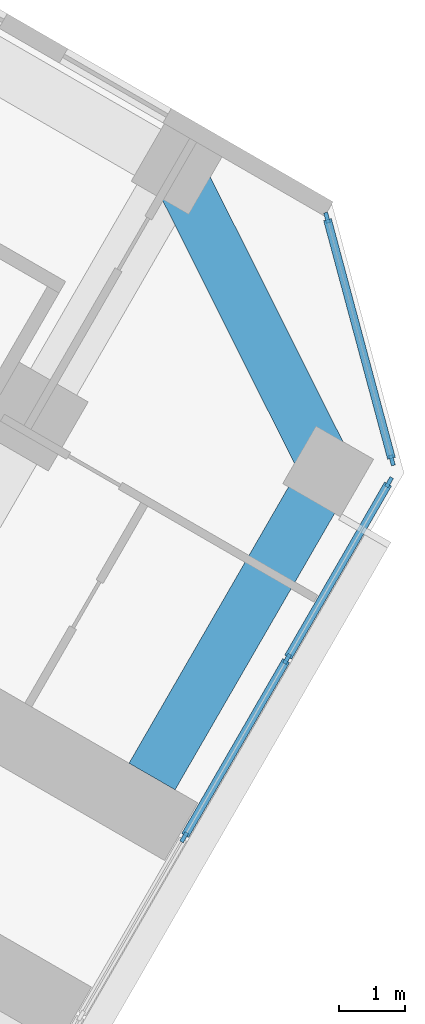
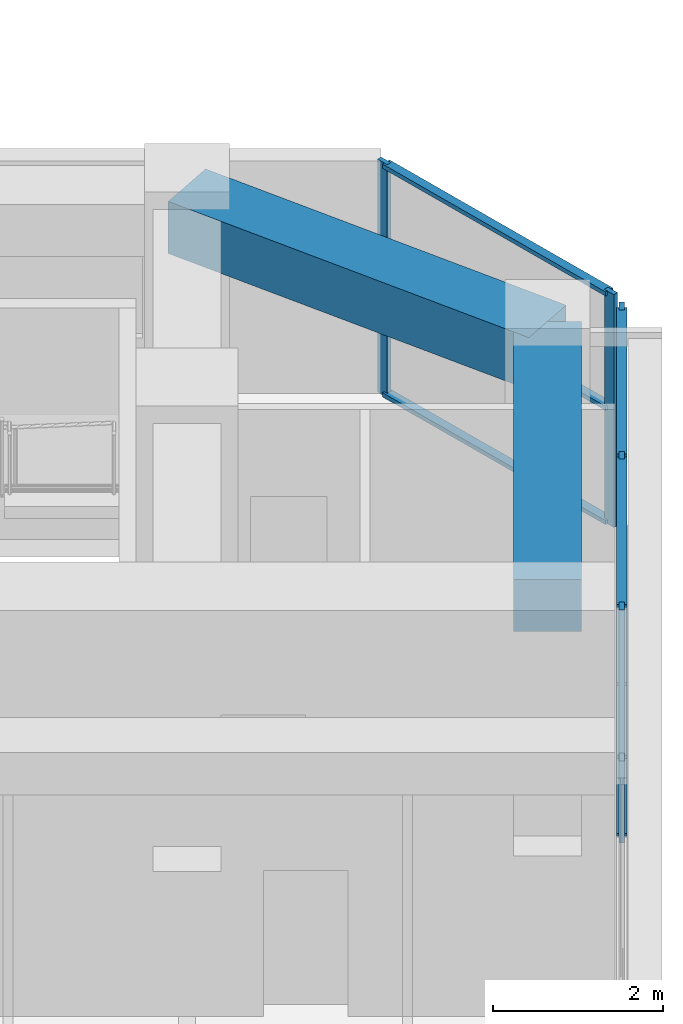
# One storey, part 8 of 21: 12 members, 2 beams, 2 elements without a shape of their own.
"""IFC4 building model written with IfcOpenShell, lengths in metres."""

from ifc_helpers import new_model, si_unit, direction, frame, origin, origin_2d, place, context, subcontext, project, spatial, rectangle, extrude, material, material_profile, profile_set, type_object, element, aggregate, save


model = new_model("IFC4")

# Units and contexts
model_context = context("Model", 3, precision=1e-05, world=origin(), true_north=direction((0.0, 1.0)))
body_context = subcontext(model_context, "Body", "Model", "MODEL_VIEW")
ifc_project = project(units=[si_unit("LENGTHUNIT", "METRE"), si_unit("AREAUNIT", "SQUARE_METRE"), si_unit("VOLUMEUNIT", "CUBIC_METRE"), si_unit("PLANEANGLEUNIT", "RADIAN"), si_unit("MASSUNIT", "GRAM", prefix="KILO")], contexts=[model_context])

# Site, building, storey
site_placement = place(None, origin())
site = spatial("IfcSite", under=ifc_project, at=site_placement, CompositionType="ELEMENT")
building_placement = place(site_placement, origin())
building = spatial("IfcBuilding", under=site, at=building_placement, Name="Kosmar Iwan School Tower", CompositionType="ELEMENT")
storey_placement = place(building_placement, frame((0.0, 0.0, 68.199951171875)))
storey = spatial("IfcBuildingStorey", under=building, at=storey_placement, Name="L16", CompositionType="ELEMENT", Elevation=68.199951171875)

# Curtain wall, members
ifc_material_1 = material(Name="Dark glass in black aluminium frame", Category="aluminium")
curtain_wall_type_1 = type_object("IfcCurtainWallType", Name="Tower curtain wall dark glass", PredefinedType="USERDEFINED", material=ifc_material_1)
curtain_wall_1_placement = place(storey_placement, origin())
curtain_wall_1 = element("IfcCurtainWall", 1, at=curtain_wall_1_placement, inside=storey, type_object=curtain_wall_type_1, Name="Curtain wall L16-F03", ObjectType="UNITISED CURTAIN WALL", PredefinedType="USERDEFINED")
ifc_material_2 = material(Name="Black anodised aluminium", Category="aluminium")
ifc_material_profile_1 = material_profile(ifc_material_2, rectangle(XDim=0.06005859375, YDim=0.159912109375, at=origin_2d()), Name="MULLION 60x160")
ifc_profile_set_1 = profile_set([ifc_material_profile_1], Name="Black anodised aluminium")
member_type_1 = type_object("IfcMemberType", Name="Mullion 60x160", PredefinedType="MULLION", material=ifc_profile_set_1)
member_1_placement = place(storey_placement, frame((30.631103515625, -15.8955078125, 0.0), z_axis=(0.0, 0.0, 1.0), x_axis=(-0.866025405329, 0.499999997325, 0.0)))
member_1 = element("IfcMember", 2, at=member_1_placement, type_object=member_type_1, Name="CW1 mullion 4", PredefinedType="MULLION", context=body_context, shape_type="SweptSolid", body=[
    extrude(rectangle(XDim=0.06005859375, YDim=0.159912109375, at=origin_2d()), origin(), (0.0, 0.0, 1.0), 3.35009765625),
])
member_2_placement = place(storey_placement, frame((32.1806640625, -13.21142578125, 0.0), z_axis=(0.0, 0.0, 1.0), x_axis=(-0.866025405329, 0.499999997325, 0.0)))
member_2 = element("IfcMember", 3, at=member_2_placement, type_object=member_type_1, Name="CW1 mullion 5", PredefinedType="MULLION", context=body_context, shape_type="SweptSolid", body=[
    extrude(rectangle(XDim=0.06005859375, YDim=0.159912109375, at=origin_2d()), origin(), (0.0, 0.0, 1.0), 3.35009765625),
])
member_3_placement = place(storey_placement, frame((33.71533203125, -10.55322265625, 0.0), z_axis=(0.0, 0.0, 1.0), x_axis=(-0.866025405329, 0.499999997325, 0.0)))
member_3 = element("IfcMember", 4, at=member_3_placement, type_object=member_type_1, Name="CW1 mullion 6", PredefinedType="MULLION", context=body_context, shape_type="SweptSolid", body=[
    extrude(rectangle(XDim=0.06005859375, YDim=0.159912109375, at=origin_2d()), origin(), (0.0, 0.0, 1.0), 3.35009765625),
])

ifc_material_3 = material(Name="Dark glass in black aluminium frame", Category="aluminium")
curtain_wall_type_2 = type_object("IfcCurtainWallType", Name="Chamfer curtain wall dark glass", PredefinedType="USERDEFINED", material=ifc_material_3)
curtain_wall_2_placement = place(storey_placement, origin())
curtain_wall_2 = element("IfcCurtainWall", 5, at=curtain_wall_2_placement, inside=storey, type_object=curtain_wall_type_2, Name="Curtain wall L16-F04", ObjectType="FACETED CURTAIN WALL", PredefinedType="USERDEFINED")
member_4_placement = place(storey_placement, frame((33.7587890625, -10.2236328125, 0.0), z_axis=(0.0, 0.0, 1.0), x_axis=(-0.965925875495, -0.258818861462, 0.0)))
member_4 = element("IfcMember", 6, at=member_4_placement, type_object=member_type_1, Name="CW2 mullion 1", PredefinedType="MULLION", context=body_context, shape_type="SweptSolid", body=[
    extrude(rectangle(XDim=0.06005859375, YDim=0.159912109375, at=origin_2d()), origin(), (0.0, 0.0, 1.0), 3.35009765625),
])
member_5_placement = place(storey_placement, frame((32.78076171875, -6.5732421875, 0.0), z_axis=(0.0, 0.0, 1.0), x_axis=(-0.965925875495, -0.258818861462, 0.0)))
member_5 = element("IfcMember", 7, at=member_5_placement, type_object=member_type_1, Name="CW2 mullion 2", PredefinedType="MULLION", context=body_context, shape_type="SweptSolid", body=[
    extrude(rectangle(XDim=0.06005859375, YDim=0.159912109375, at=origin_2d()), origin(), (0.0, 0.0, 1.0), 3.35009765625),
])

# Beams
ifc_material_4 = material(Name="Concrete C50/60", Category="concrete")
ifc_material_profile_2 = material_profile(ifc_material_4, rectangle(XDim=0.800048828125, YDim=0.75, at=origin_2d()), Name="RC 800x750")
ifc_profile_set_2 = profile_set([ifc_material_profile_2], Name="Concrete C50/60")
beam_type = type_object("IfcBeamType", Name="RC tip beam 800x750", PredefinedType="BEAM", material=ifc_profile_set_2)
beam_1_placement = place(storey_placement, frame((30.517822265625, -5.841552734375, 2.97509765625), z_axis=(0.44809604203, -0.893985423325, 0.0), x_axis=(0.893985423325, 0.44809604203, 0.0)))
element("IfcBeam", 8, at=beam_1_placement, inside=storey, type_object=beam_type, Name="Tip beam CL", PredefinedType="BEAM", context=body_context, shape_type="SweptSolid", body=[
    extrude(rectangle(XDim=0.800048828125, YDim=0.75, at=origin_2d()), origin(), (0.0, 0.0, 1.0), 5.08935546875),
])
beam_2_placement = place(storey_placement, frame((32.79833984375, -10.391357421875, 2.97509765625), z_axis=(-0.499973660256, -0.866040610509, 0.0), x_axis=(0.866040610509, -0.499973660256, 0.0)))
element("IfcBeam", 9, at=beam_2_placement, inside=storey, type_object=beam_type, Name="Tip beam CL to corridor wall", PredefinedType="BEAM", context=body_context, shape_type="SweptSolid", body=[
    extrude(rectangle(XDim=0.800048828125, YDim=0.75, at=origin_2d()), origin(), (0.0, 0.0, 1.0), 5.300048828125),
])

# Member
ifc_material_5 = material(Name="Black anodised aluminium", Category="aluminium")
ifc_material_profile_3 = material_profile(ifc_material_5, rectangle(XDim=0.1201171875, YDim=0.06005859375, at=origin_2d()), Name="TRANSOM 60x120")
ifc_profile_set_3 = profile_set([ifc_material_profile_3], Name="Black anodised aluminium")
member_type_2 = type_object("IfcMemberType", Name="Transom 60x120", PredefinedType="USERDEFINED", material=ifc_profile_set_3)
member_6_placement = place(storey_placement, frame((30.64599609375, -15.869384765625, 0.030029296875), z_axis=(0.500035348339, 0.866004994449, 0.0), x_axis=(-0.866004994449, 0.500035348339, 0.0)))
member_6 = element("IfcMember", 10, at=member_6_placement, type_object=member_type_2, Name="CW1 transom 4.1", ObjectType="TRANSOM", PredefinedType="USERDEFINED", context=body_context, shape_type="SweptSolid", body=[
    extrude(rectangle(XDim=0.1201171875, YDim=0.06005859375, at=origin_2d()), origin(), (0.0, 0.0, 1.0), 3.039306640625),
])

member_7_placement = place(storey_placement, frame((30.64599609375, -15.869384765625, 3.320068359375), z_axis=(0.500035348339, 0.866004994449, 0.0), x_axis=(-0.866004994449, 0.500035348339, 0.0)))
member_7 = element("IfcMember", 11, at=member_7_placement, type_object=member_type_2, Name="CW1 transom 4.2", ObjectType="TRANSOM", PredefinedType="USERDEFINED", context=body_context, shape_type="SweptSolid", body=[
    extrude(rectangle(XDim=0.1201171875, YDim=0.06005859375, at=origin_2d()), origin(), (0.0, 0.0, 1.0), 3.039306640625),
])

member_8_placement = place(storey_placement, frame((32.19580078125, -13.185302734375, 0.030029296875), z_axis=(0.500022102064, 0.866012642776, 0.0), x_axis=(-0.866012642776, 0.500022102064, 0.0)))
member_8 = element("IfcMember", 12, at=member_8_placement, type_object=member_type_2, Name="CW1 transom 5.1", ObjectType="TRANSOM", PredefinedType="USERDEFINED", context=body_context, shape_type="SweptSolid", body=[
    extrude(rectangle(XDim=0.1201171875, YDim=0.06005859375, at=origin_2d()), origin(), (0.0, 0.0, 1.0), 3.009033203125),
])

member_9_placement = place(storey_placement, frame((32.19580078125, -13.185302734375, 3.320068359375), z_axis=(0.500022102064, 0.866012642776, 0.0), x_axis=(-0.866012642776, 0.500022102064, 0.0)))
member_9 = element("IfcMember", 13, at=member_9_placement, type_object=member_type_2, Name="CW1 transom 5.2", ObjectType="TRANSOM", PredefinedType="USERDEFINED", context=body_context, shape_type="SweptSolid", body=[
    extrude(rectangle(XDim=0.1201171875, YDim=0.06005859375, at=origin_2d()), origin(), (0.0, 0.0, 1.0), 3.009033203125),
])

aggregate(curtain_wall_1, [member_1, member_2, member_3, member_6, member_7, member_8, member_9])

member_10_placement = place(storey_placement, frame((33.7509765625, -10.194580078125, 0.030029296875), z_axis=(-0.258843273983, 0.965919333854, 0.0), x_axis=(-0.965919333854, -0.258843273983, 0.0)))
member_10 = element("IfcMember", 14, at=member_10_placement, type_object=member_type_2, Name="CW2 transom 1.1", ObjectType="TRANSOM", PredefinedType="USERDEFINED", context=body_context, shape_type="SweptSolid", body=[
    extrude(rectangle(XDim=0.1201171875, YDim=0.06005859375, at=origin_2d()), origin(), (0.0, 0.0, 1.0), 3.718994140625),
])

member_11_placement = place(storey_placement, frame((33.7509765625, -10.194580078125, 1.675048828125), z_axis=(-0.258843273983, 0.965919333854, 0.0), x_axis=(-0.965919333854, -0.258843273983, 0.0)))
member_11 = element("IfcMember", 15, at=member_11_placement, type_object=member_type_2, Name="CW2 transom 1.2", ObjectType="TRANSOM", PredefinedType="USERDEFINED", context=body_context, shape_type="SweptSolid", body=[
    extrude(rectangle(XDim=0.1201171875, YDim=0.06005859375, at=origin_2d()), origin(), (0.0, 0.0, 1.0), 3.718994140625),
])

member_12_placement = place(storey_placement, frame((33.7509765625, -10.194580078125, 3.320068359375), z_axis=(-0.258843273983, 0.965919333854, 0.0), x_axis=(-0.965919333854, -0.258843273983, 0.0)))
member_12 = element("IfcMember", 16, at=member_12_placement, type_object=member_type_2, Name="CW2 transom 1.3", ObjectType="TRANSOM", PredefinedType="USERDEFINED", context=body_context, shape_type="SweptSolid", body=[
    extrude(rectangle(XDim=0.1201171875, YDim=0.06005859375, at=origin_2d()), origin(), (0.0, 0.0, 1.0), 3.718994140625),
])

aggregate(curtain_wall_2, [member_4, member_5, member_10, member_11, member_12])

save(model, "model.ifc")
